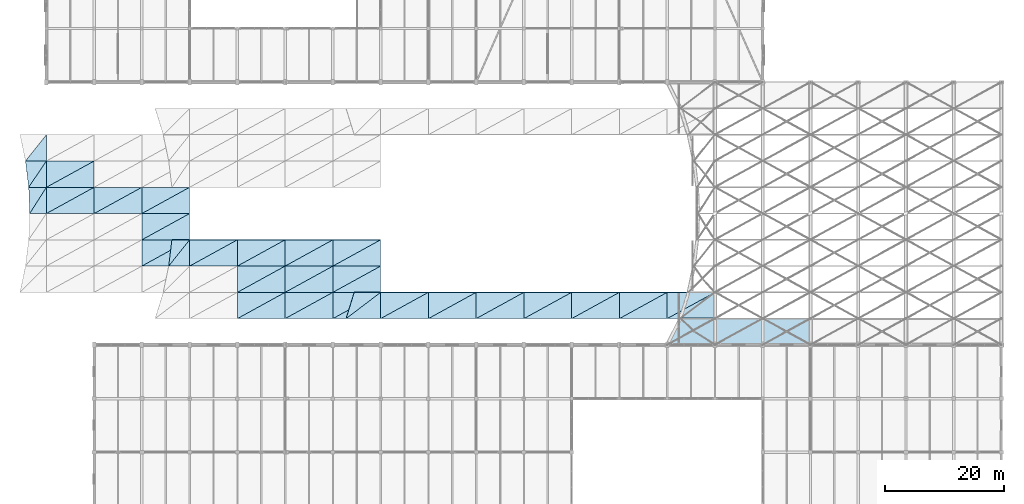
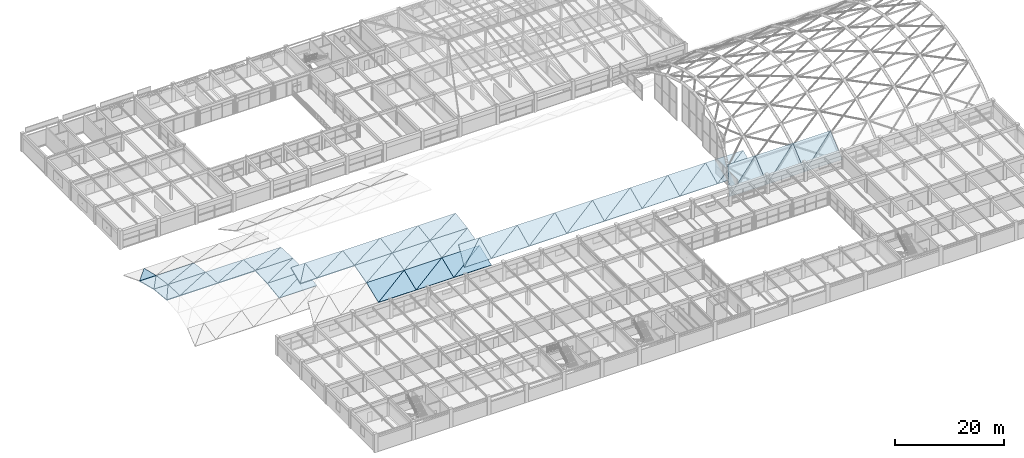
# One storey, part 105 of 126: 61 roofs.
"""IFC4 building model written with IfcOpenShell, lengths in metres."""

from ifc_helpers import new_model, si_unit, direction, frame, origin, place, context, subcontext, project, spatial, polyline, outline, extrude, material, layer, layer_set, type_object, element, save


model = new_model("IFC4")

# Units and contexts
model_context = context("Model", 3, precision=1e-05, world=origin(), true_north=direction((0.0, 1.0)))
body_context = subcontext(model_context, "Body", "Model", "MODEL_VIEW")
ifc_project = project(units=[si_unit("LENGTHUNIT", "METRE"), si_unit("AREAUNIT", "SQUARE_METRE"), si_unit("VOLUMEUNIT", "CUBIC_METRE"), si_unit("PLANEANGLEUNIT", "RADIAN"), si_unit("MASSUNIT", "GRAM", prefix="KILO")], contexts=[model_context])

# Site, building, storey
site_placement = place(None, origin())
site = spatial("IfcSite", under=ifc_project, at=site_placement, CompositionType="ELEMENT")
building_placement = place(site_placement, origin())
building = spatial("IfcBuilding", under=site, at=building_placement, Name="Varnabhumi Central Station", CompositionType="ELEMENT")
storey_placement = place(building_placement, frame((0.0, 0.0, 16.199951171875)))
storey = spatial("IfcBuildingStorey", under=building, at=storey_placement, Name="L03", CompositionType="ELEMENT", Elevation=16.199951171875)

# Roofs
ifc_material = material(Name="Champagne bronze diamond metal panel")
ifc_layer = layer(ifc_material, 0.159912109375, Name="Champagne bronze diamond metal panel")
ifc_layer_set = layer_set([ifc_layer], Name="Champagne bronze diamond metal panel")
roof_type = type_object("IfcRoofType", Name="ROOF-VAULT-BARREL", PredefinedType="BARREL_ROOF", material=ifc_layer_set)
roof_1_placement = place(storey_placement, frame((21.199951171875, 58.0, 2.7470703125), z_axis=(0.0, 0.046006057233, 0.998941160779), x_axis=(1.0, 0.0, 0.0)))
element("IfcRoof", 1, at=roof_1_placement, inside=storey, type_object=roof_type, Name="Entrance Portico Vault Diamond Shell Panel 1-6A", PredefinedType="BARREL_ROOF", context=body_context, shape_type="SweptSolid", body=[
    extrude(outline(polyline([(0.0, 0.0), (2.800048828125, 0.0), (2.800048828125, 4.404566071058818), (0.0, 0.0)])), origin(), (0.0, 0.0, -1.0), 0.159912109375),
])
roof_2_placement = place(storey_placement, frame((21.199951171875, 58.0, 2.7470703125), z_axis=(0.0, 0.046006057233, 0.998941160779), x_axis=(0.536485836633, 0.843015759683, -0.038824940658)))
element("IfcRoof", 2, at=roof_2_placement, inside=storey, type_object=roof_type, Name="Entrance Portico Vault Diamond Shell Panel 1-6B", PredefinedType="BARREL_ROOF", context=body_context, shape_type="SweptSolid", body=[
    extrude(outline(polyline([(0.0, 0.0), (5.219240913601009, 4.2934406030425976e-16), (3.6228812024464614, 2.511124716944645), (0.0, 0.0)])), origin(), (0.0, 0.0, -1.0), 0.159912109375),
])
roof_3_placement = place(storey_placement, frame((21.0244140625, 62.39990234375, 2.5458984375), z_axis=(0.0, 0.138420407303, 0.99037356126), x_axis=(1.0, 0.0, 0.0)))
element("IfcRoof", 3, at=roof_3_placement, inside=storey, type_object=roof_type, Name="Entrance Portico Vault Diamond Shell Panel 1-7A", PredefinedType="BARREL_ROOF", context=body_context, shape_type="SweptSolid", body=[
    extrude(outline(polyline([(0.0, 0.0), (2.9755859375, 0.0), (2.9755859375, 4.44291594252404), (0.0, 0.0)])), origin(), (0.0, 0.0, -1.0), 0.159912109375),
])
roof_4_placement = place(storey_placement, frame((21.0244140625, 62.39990234375, 2.5458984375), z_axis=(0.0, 0.138420407303, 0.99037356126), x_axis=(0.556465154754, 0.822872619309, -0.115009494981)))
element("IfcRoof", 4, at=roof_4_placement, inside=storey, type_object=roof_type, Name="Entrance Portico Vault Diamond Shell Panel 1-7B", PredefinedType="BARREL_ROOF", context=body_context, shape_type="SweptSolid", body=[
    extrude(outline(polyline([(0.0, 0.0), (5.347299668410407, -3.469446951953614e-17), (3.394916675496568, 2.9151480438899933), (0.0, 0.0)])), origin(), (0.0, 0.0, -1.0), 0.159912109375),
])
roof_5_placement = place(storey_placement, frame((20.491455078125, 66.800048828125, 1.933837890625), z_axis=(0.0, 0.2331035559, 0.972451917694), x_axis=(1.0, 0.0, 0.0)))
element("IfcRoof", 5, at=roof_5_placement, inside=storey, type_object=roof_type, Name="Entrance Portico Vault Diamond Shell Panel 1-8A", PredefinedType="BARREL_ROOF", context=body_context, shape_type="SweptSolid", body=[
    extrude(outline(polyline([(0.0, 0.0), (3.508544921875, 0.0), (3.508544921875, 4.52454487845938), (0.0, 0.0)])), origin(), (0.0, 0.0, -1.0), 0.159912109375),
])
roof_6_placement = place(storey_placement, frame((24.0, 58.0, 2.7470703125), z_axis=(0.0, 0.046006057233, 0.998941160779), x_axis=(1.0, 0.0, 0.0)))
element("IfcRoof", 6, at=roof_6_placement, inside=storey, type_object=roof_type, Name="Entrance Portico Vault Diamond Shell Panel 2-6A", PredefinedType="BARREL_ROOF", context=body_context, shape_type="SweptSolid", body=[
    extrude(outline(polyline([(0.0, 0.0), (8.0, 0.0), (8.0, 4.404566071058818), (0.0, 0.0)])), origin(), (0.0, 0.0, -1.0), 0.159912109375),
])
roof_7_placement = place(storey_placement, frame((24.0, 58.0, 2.7470703125), z_axis=(0.0, 0.046006057233, 0.998941160779), x_axis=(0.876004697448, 0.48179189018, -0.022188839688)))
element("IfcRoof", 7, at=roof_7_placement, inside=storey, type_object=roof_type, Name="Entrance Portico Vault Diamond Shell Panel 2-6B", PredefinedType="BARREL_ROOF", context=body_context, shape_type="SweptSolid", body=[
    extrude(outline(polyline([(0.0, 0.0), (9.132371120049957, 2.2551405187698492e-17), (2.124333540467898, 3.8584205684665376), (0.0, 0.0)])), origin(), (0.0, 0.0, -1.0), 0.159912109375),
])
roof_8_placement = place(storey_placement, frame((24.0, 62.39990234375, 2.5458984375), z_axis=(0.0, 0.138420407303, 0.99037356126), x_axis=(1.0, 0.0, 0.0)))
element("IfcRoof", 8, at=roof_8_placement, inside=storey, type_object=roof_type, Name="Entrance Portico Vault Diamond Shell Panel 2-7A", PredefinedType="BARREL_ROOF", context=body_context, shape_type="SweptSolid", body=[
    extrude(outline(polyline([(0.0, 0.0), (8.0, 0.0), (8.0, 4.442915942524041), (0.0, 0.0)])), origin(), (0.0, 0.0, -1.0), 0.159912109375),
])
roof_9_placement = place(storey_placement, frame((24.0, 62.39990234375, 2.5458984375), z_axis=(0.0, 0.138420407303, 0.99037356126), x_axis=(0.874228176797, 0.480841504835, -0.067205223918)))
element("IfcRoof", 9, at=roof_9_placement, inside=storey, type_object=roof_type, Name="Entrance Portico Vault Diamond Shell Panel 2-7B", PredefinedType="BARREL_ROOF", context=body_context, shape_type="SweptSolid", body=[
    extrude(outline(polyline([(0.0, 0.0), (9.15092902782741, -1.8041124150158794e-16), (2.157103613448174, 3.8841223040969144), (0.0, 0.0)])), origin(), (0.0, 0.0, -1.0), 0.159912109375),
])
roof_10_placement = place(storey_placement, frame((32.0, 58.0, 2.7470703125), z_axis=(0.0, 0.046006057233, 0.998941160779), x_axis=(1.0, 0.0, 0.0)))
element("IfcRoof", 10, at=roof_10_placement, inside=storey, type_object=roof_type, Name="Entrance Portico Vault Diamond Shell Panel 3-6A", PredefinedType="BARREL_ROOF", context=body_context, shape_type="SweptSolid", body=[
    extrude(outline(polyline([(0.0, 0.0), (8.0, 0.0), (8.0, 4.404566071058818), (0.0, 0.0)])), origin(), (0.0, 0.0, -1.0), 0.159912109375),
])
roof_11_placement = place(storey_placement, frame((32.0, 58.0, 2.7470703125), z_axis=(0.0, 0.046006057233, 0.998941160779), x_axis=(0.876004697448, 0.48179189018, -0.022188839688)))
element("IfcRoof", 11, at=roof_11_placement, inside=storey, type_object=roof_type, Name="Entrance Portico Vault Diamond Shell Panel 3-6B", PredefinedType="BARREL_ROOF", context=body_context, shape_type="SweptSolid", body=[
    extrude(outline(polyline([(0.0, 0.0), (9.132371120049957, 2.2551405187698492e-17), (2.124333540467898, 3.8584205684665376), (0.0, 0.0)])), origin(), (0.0, 0.0, -1.0), 0.159912109375),
])
roof_12_placement = place(storey_placement, frame((40.0, 49.199951171875, 1.930908203125), z_axis=(0.0, -0.138420407303, 0.99037356126), x_axis=(1.0, 0.0, 0.0)))
element("IfcRoof", 12, at=roof_12_placement, inside=storey, type_object=roof_type, Name="Entrance Portico Vault Diamond Shell Panel 4-4A", PredefinedType="BARREL_ROOF", context=body_context, shape_type="SweptSolid", body=[
    extrude(outline(polyline([(0.0, 0.0), (8.0, 0.0), (8.0, 4.442915942524041), (0.0, 0.0)])), origin(), (0.0, 0.0, -1.0), 0.159912109375),
])
roof_13_placement = place(storey_placement, frame((40.0, 49.199951171875, 1.930908203125), z_axis=(0.0, -0.138420407303, 0.99037356126), x_axis=(0.874228176797, 0.480841504835, 0.067205223918)))
element("IfcRoof", 13, at=roof_13_placement, inside=storey, type_object=roof_type, Name="Entrance Portico Vault Diamond Shell Panel 4-4B", PredefinedType="BARREL_ROOF", context=body_context, shape_type="SweptSolid", body=[
    extrude(outline(polyline([(0.0, 0.0), (9.15092902782741, -1.8041124150158794e-16), (2.157103613448174, 3.8841223040969144), (0.0, 0.0)])), origin(), (0.0, 0.0, -1.0), 0.159912109375),
])
roof_14_placement = place(storey_placement, frame((40.0, 53.60009765625, 2.54443359375), z_axis=(0.0, -0.046006057233, 0.998941160779), x_axis=(1.0, 0.0, 0.0)))
element("IfcRoof", 14, at=roof_14_placement, inside=storey, type_object=roof_type, Name="Entrance Portico Vault Diamond Shell Panel 4-5A", PredefinedType="BARREL_ROOF", context=body_context, shape_type="SweptSolid", body=[
    extrude(outline(polyline([(0.0, 0.0), (8.0, 0.0), (8.0, 4.404566071058818), (0.0, 0.0)])), origin(), (0.0, 0.0, -1.0), 0.159912109375),
])
roof_15_placement = place(storey_placement, frame((40.0, 53.60009765625, 2.54443359375), z_axis=(0.0, -0.046006057233, 0.998941160779), x_axis=(0.876004697448, 0.48179189018, 0.022188839688)))
element("IfcRoof", 15, at=roof_15_placement, inside=storey, type_object=roof_type, Name="Entrance Portico Vault Diamond Shell Panel 4-5B", PredefinedType="BARREL_ROOF", context=body_context, shape_type="SweptSolid", body=[
    extrude(outline(polyline([(0.0, 0.0), (9.132371120049957, 2.2551405187698492e-17), (2.124333540467898, 3.8584205684665376), (0.0, 0.0)])), origin(), (0.0, 0.0, -1.0), 0.159912109375),
])
roof_16_placement = place(storey_placement, frame((40.0, 58.0, 2.7470703125), z_axis=(0.0, 0.046006057233, 0.998941160779), x_axis=(1.0, 0.0, 0.0)))
element("IfcRoof", 16, at=roof_16_placement, inside=storey, type_object=roof_type, Name="Entrance Portico Vault Diamond Shell Panel 4-6A", PredefinedType="BARREL_ROOF", context=body_context, shape_type="SweptSolid", body=[
    extrude(outline(polyline([(0.0, 0.0), (8.0, 0.0), (8.0, 4.404566071058818), (0.0, 0.0)])), origin(), (0.0, 0.0, -1.0), 0.159912109375),
])
roof_17_placement = place(storey_placement, frame((40.0, 58.0, 2.7470703125), z_axis=(0.0, 0.046006057233, 0.998941160779), x_axis=(0.876004697448, 0.48179189018, -0.022188839688)))
element("IfcRoof", 17, at=roof_17_placement, inside=storey, type_object=roof_type, Name="Entrance Portico Vault Diamond Shell Panel 4-6B", PredefinedType="BARREL_ROOF", context=body_context, shape_type="SweptSolid", body=[
    extrude(outline(polyline([(0.0, 0.0), (9.132371120049957, 2.2551405187698492e-17), (2.124333540467898, 3.8584205684665376), (0.0, 0.0)])), origin(), (0.0, 0.0, -1.0), 0.159912109375),
])
roof_18_placement = place(storey_placement, frame((44.491455078125, 49.199951171875, 3.623046875), z_axis=(0.0, -0.156457839535, 0.987684638155), x_axis=(1.0, 0.0, 0.0)))
element("IfcRoof", 18, at=roof_18_placement, inside=storey, type_object=roof_type, Name="Ticket Hall Vault Diamond Shell Panel 1-4A", PredefinedType="BARREL_ROOF", context=body_context, shape_type="SweptSolid", body=[
    extrude(outline(polyline([(0.0, 0.0), (3.508544921875, 0.0), (3.508544921875, 4.455011563805194), (0.0, 0.0)])), origin(), (0.0, 0.0, -1.0), 0.159912109375),
])
roof_19_placement = place(storey_placement, frame((44.491455078125, 49.199951171875, 3.623046875), z_axis=(0.0, -0.156457839535, 0.987684638155), x_axis=(0.618712904093, 0.775942013115, 0.122915965569)))
element("IfcRoof", 19, at=roof_19_placement, inside=storey, type_object=roof_type, Name="Ticket Hall Vault Diamond Shell Panel 1-4B", PredefinedType="BARREL_ROOF", context=body_context, shape_type="SweptSolid", body=[
    extrude(outline(polyline([(0.0, 0.0), (5.670715607615397, 1.3877787807814457e-17), (3.829682190845547, 2.337671411850795), (0.0, 0.0)])), origin(), (0.0, 0.0, -1.0), 0.159912109375),
])
roof_20_placement = place(storey_placement, frame((48.0, 49.199951171875, 3.623046875), z_axis=(0.0, -0.156457839535, 0.987684638155), x_axis=(1.0, 0.0, 0.0)))
element("IfcRoof", 20, at=roof_20_placement, inside=storey, type_object=roof_type, Name="Ticket Hall Vault Diamond Shell Panel 2-4A", PredefinedType="BARREL_ROOF", context=body_context, shape_type="SweptSolid", body=[
    extrude(outline(polyline([(0.0, 0.0), (8.0, 0.0), (8.0, 4.455011563805194), (0.0, 0.0)])), origin(), (0.0, 0.0, -1.0), 0.159912109375),
])
roof_21_placement = place(storey_placement, frame((48.0, 49.199951171875, 3.623046875), z_axis=(0.0, -0.156457839535, 0.987684638155), x_axis=(0.873666918095, 0.480532802271, 0.076120576512)))
element("IfcRoof", 21, at=roof_21_placement, inside=storey, type_object=roof_type, Name="Ticket Hall Vault Diamond Shell Panel 2-4B", PredefinedType="BARREL_ROOF", context=body_context, shape_type="SweptSolid", body=[
    extrude(outline(polyline([(0.0, 0.0), (9.156807742528944, 2.498001805406602e-16), (2.1674723977721726, 3.8921962230254725), (0.0, 0.0)])), origin(), (0.0, 0.0, -1.0), 0.159912109375),
])
roof_22_placement = place(storey_placement, frame((56.0, 40.39990234375, 0.6552734375), z_axis=(0.0, -0.37554515505, 0.926804098242), x_axis=(1.0, 0.0, 0.0)))
element("IfcRoof", 22, at=roof_22_placement, inside=storey, type_object=roof_type, Name="Ticket Hall Vault Diamond Shell Panel 3-2A", PredefinedType="BARREL_ROOF", context=body_context, shape_type="SweptSolid", body=[
    extrude(outline(polyline([(0.0, 0.0), (8.0, 0.0), (8.0, 4.747655402819502), (0.0, 0.0)])), origin(), (0.0, 0.0, -1.0), 0.159912109375),
])
roof_23_placement = place(storey_placement, frame((56.0, 40.39990234375, 0.6552734375), z_axis=(0.0, -0.37554515505, 0.926804098242), x_axis=(0.859965363866, 0.472996696562, 0.19166037147)))
element("IfcRoof", 23, at=roof_23_placement, inside=storey, type_object=roof_type, Name="Ticket Hall Vault Diamond Shell Panel 3-2B", PredefinedType="BARREL_ROOF", context=body_context, shape_type="SweptSolid", body=[
    extrude(outline(polyline([(0.0, 0.0), (9.302700243688454, -3.3306690738754696e-16), (2.4229773327603397, 4.082819205996122), (0.0, 0.0)])), origin(), (0.0, 0.0, -1.0), 0.159912109375),
])
roof_24_placement = place(storey_placement, frame((56.0, 44.800048828125, 2.431396484375), z_axis=(0.0, -0.262165789998, 0.965022848722), x_axis=(1.0, 0.0, 0.0)))
element("IfcRoof", 24, at=roof_24_placement, inside=storey, type_object=roof_type, Name="Ticket Hall Vault Diamond Shell Panel 3-3A", PredefinedType="BARREL_ROOF", context=body_context, shape_type="SweptSolid", body=[
    extrude(outline(polyline([(0.0, 0.0), (8.0, 0.0), (8.0, 4.559376339719391), (0.0, 0.0)])), origin(), (0.0, 0.0, -1.0), 0.159912109375),
])
roof_25_placement = place(storey_placement, frame((56.0, 44.800048828125, 2.431396484375), z_axis=(0.0, -0.262165789998, 0.965022848722), x_axis=(0.86880640757, 0.477832918616, 0.129811894881)))
element("IfcRoof", 25, at=roof_25_placement, inside=storey, type_object=roof_type, Name="Ticket Hall Vault Diamond Shell Panel 3-3B", PredefinedType="BARREL_ROOF", context=body_context, shape_type="SweptSolid", body=[
    extrude(outline(polyline([(0.0, 0.0), (9.208035219697686, 4.996003610813204e-16), (2.2575839591407965, 3.961215378469487), (0.0, 0.0)])), origin(), (0.0, 0.0, -1.0), 0.159912109375),
])
roof_26_placement = place(storey_placement, frame((56.0, 49.199951171875, 3.623046875), z_axis=(0.0, -0.156457839535, 0.987684638155), x_axis=(1.0, 0.0, 0.0)))
element("IfcRoof", 26, at=roof_26_placement, inside=storey, type_object=roof_type, Name="Ticket Hall Vault Diamond Shell Panel 3-4A", PredefinedType="BARREL_ROOF", context=body_context, shape_type="SweptSolid", body=[
    extrude(outline(polyline([(0.0, 0.0), (8.0, 0.0), (8.0, 4.455011563805194), (0.0, 0.0)])), origin(), (0.0, 0.0, -1.0), 0.159912109375),
])
roof_27_placement = place(storey_placement, frame((56.0, 49.199951171875, 3.623046875), z_axis=(0.0, -0.156457839535, 0.987684638155), x_axis=(0.873666918095, 0.480532802271, 0.076120576512)))
element("IfcRoof", 27, at=roof_27_placement, inside=storey, type_object=roof_type, Name="Ticket Hall Vault Diamond Shell Panel 3-4B", PredefinedType="BARREL_ROOF", context=body_context, shape_type="SweptSolid", body=[
    extrude(outline(polyline([(0.0, 0.0), (9.156807742528944, 2.498001805406602e-16), (2.1674723977721726, 3.8921962230254725), (0.0, 0.0)])), origin(), (0.0, 0.0, -1.0), 0.159912109375),
])
roof_28_placement = place(storey_placement, frame((64.0, 40.39990234375, 0.6552734375), z_axis=(0.0, -0.37554515505, 0.926804098242), x_axis=(1.0, 0.0, 0.0)))
element("IfcRoof", 28, at=roof_28_placement, inside=storey, type_object=roof_type, Name="Ticket Hall Vault Diamond Shell Panel 4-2A", PredefinedType="BARREL_ROOF", context=body_context, shape_type="SweptSolid", body=[
    extrude(outline(polyline([(0.0, 0.0), (8.0, 0.0), (8.0, 4.747655402819502), (0.0, 0.0)])), origin(), (0.0, 0.0, -1.0), 0.159912109375),
])
roof_29_placement = place(storey_placement, frame((64.0, 40.39990234375, 0.6552734375), z_axis=(0.0, -0.37554515505, 0.926804098242), x_axis=(0.859965363866, 0.472996696562, 0.19166037147)))
element("IfcRoof", 29, at=roof_29_placement, inside=storey, type_object=roof_type, Name="Ticket Hall Vault Diamond Shell Panel 4-2B", PredefinedType="BARREL_ROOF", context=body_context, shape_type="SweptSolid", body=[
    extrude(outline(polyline([(0.0, 0.0), (9.302700243688454, -3.3306690738754696e-16), (2.4229773327603397, 4.082819205996122), (0.0, 0.0)])), origin(), (0.0, 0.0, -1.0), 0.159912109375),
])
roof_30_placement = place(storey_placement, frame((64.0, 44.800048828125, 2.431396484375), z_axis=(0.0, -0.262165789998, 0.965022848722), x_axis=(1.0, 0.0, 0.0)))
element("IfcRoof", 30, at=roof_30_placement, inside=storey, type_object=roof_type, Name="Ticket Hall Vault Diamond Shell Panel 4-3A", PredefinedType="BARREL_ROOF", context=body_context, shape_type="SweptSolid", body=[
    extrude(outline(polyline([(0.0, 0.0), (8.0, 0.0), (8.0, 4.559376339719391), (0.0, 0.0)])), origin(), (0.0, 0.0, -1.0), 0.159912109375),
])
roof_31_placement = place(storey_placement, frame((64.0, 44.800048828125, 2.431396484375), z_axis=(0.0, -0.262165789998, 0.965022848722), x_axis=(0.86880640757, 0.477832918616, 0.129811894881)))
element("IfcRoof", 31, at=roof_31_placement, inside=storey, type_object=roof_type, Name="Ticket Hall Vault Diamond Shell Panel 4-3B", PredefinedType="BARREL_ROOF", context=body_context, shape_type="SweptSolid", body=[
    extrude(outline(polyline([(0.0, 0.0), (9.208035219697686, 4.996003610813204e-16), (2.2575839591407965, 3.961215378469487), (0.0, 0.0)])), origin(), (0.0, 0.0, -1.0), 0.159912109375),
])
roof_32_placement = place(storey_placement, frame((64.0, 49.199951171875, 3.623046875), z_axis=(0.0, -0.156457839535, 0.987684638155), x_axis=(1.0, 0.0, 0.0)))
element("IfcRoof", 32, at=roof_32_placement, inside=storey, type_object=roof_type, Name="Ticket Hall Vault Diamond Shell Panel 4-4A", PredefinedType="BARREL_ROOF", context=body_context, shape_type="SweptSolid", body=[
    extrude(outline(polyline([(0.0, 0.0), (8.0, 0.0), (8.0, 4.455011563805194), (0.0, 0.0)])), origin(), (0.0, 0.0, -1.0), 0.159912109375),
])
roof_33_placement = place(storey_placement, frame((64.0, 49.199951171875, 3.623046875), z_axis=(0.0, -0.156457839535, 0.987684638155), x_axis=(0.873666918095, 0.480532802271, 0.076120576512)))
element("IfcRoof", 33, at=roof_33_placement, inside=storey, type_object=roof_type, Name="Ticket Hall Vault Diamond Shell Panel 4-4B", PredefinedType="BARREL_ROOF", context=body_context, shape_type="SweptSolid", body=[
    extrude(outline(polyline([(0.0, 0.0), (9.156807742528944, 2.498001805406602e-16), (2.1674723977721726, 3.8921962230254725), (0.0, 0.0)])), origin(), (0.0, 0.0, -1.0), 0.159912109375),
])
roof_34_placement = place(storey_placement, frame((72.0, 40.39990234375, 0.6552734375), z_axis=(0.0, -0.37554515505, 0.926804098242), x_axis=(1.0, 0.0, 0.0)))
element("IfcRoof", 34, at=roof_34_placement, inside=storey, type_object=roof_type, Name="Ticket Hall Vault Diamond Shell Panel 5-2A", PredefinedType="BARREL_ROOF", context=body_context, shape_type="SweptSolid", body=[
    extrude(outline(polyline([(0.0, 0.0), (8.0, 0.0), (8.0, 4.747655402819502), (0.0, 0.0)])), origin(), (0.0, 0.0, -1.0), 0.159912109375),
])
roof_35_placement = place(storey_placement, frame((72.0, 40.39990234375, 0.6552734375), z_axis=(0.0, -0.37554515505, 0.926804098242), x_axis=(0.859965363866, 0.472996696562, 0.19166037147)))
element("IfcRoof", 35, at=roof_35_placement, inside=storey, type_object=roof_type, Name="Ticket Hall Vault Diamond Shell Panel 5-2B", PredefinedType="BARREL_ROOF", context=body_context, shape_type="SweptSolid", body=[
    extrude(outline(polyline([(0.0, 0.0), (9.302700243688454, -3.3306690738754696e-16), (2.4229773327603397, 4.082819205996122), (0.0, 0.0)])), origin(), (0.0, 0.0, -1.0), 0.159912109375),
])
roof_36_placement = place(storey_placement, frame((72.0, 44.800048828125, 2.431396484375), z_axis=(0.0, -0.262165789998, 0.965022848722), x_axis=(1.0, 0.0, 0.0)))
element("IfcRoof", 36, at=roof_36_placement, inside=storey, type_object=roof_type, Name="Ticket Hall Vault Diamond Shell Panel 5-3A", PredefinedType="BARREL_ROOF", context=body_context, shape_type="SweptSolid", body=[
    extrude(outline(polyline([(0.0, 0.0), (8.0, 0.0), (8.0, 4.559376339719391), (0.0, 0.0)])), origin(), (0.0, 0.0, -1.0), 0.159912109375),
])
roof_37_placement = place(storey_placement, frame((72.0, 44.800048828125, 2.431396484375), z_axis=(0.0, -0.262165789998, 0.965022848722), x_axis=(0.86880640757, 0.477832918616, 0.129811894881)))
element("IfcRoof", 37, at=roof_37_placement, inside=storey, type_object=roof_type, Name="Ticket Hall Vault Diamond Shell Panel 5-3B", PredefinedType="BARREL_ROOF", context=body_context, shape_type="SweptSolid", body=[
    extrude(outline(polyline([(0.0, 0.0), (9.208035219697686, 4.996003610813204e-16), (2.2575839591407965, 3.961215378469487), (0.0, 0.0)])), origin(), (0.0, 0.0, -1.0), 0.159912109375),
])
roof_38_placement = place(storey_placement, frame((72.0, 49.199951171875, 3.623046875), z_axis=(0.0, -0.156457839535, 0.987684638155), x_axis=(1.0, 0.0, 0.0)))
element("IfcRoof", 38, at=roof_38_placement, inside=storey, type_object=roof_type, Name="Ticket Hall Vault Diamond Shell Panel 5-4A", PredefinedType="BARREL_ROOF", context=body_context, shape_type="SweptSolid", body=[
    extrude(outline(polyline([(0.0, 0.0), (8.0, 0.0), (8.0, 4.455011563805194), (0.0, 0.0)])), origin(), (0.0, 0.0, -1.0), 0.159912109375),
])
roof_39_placement = place(storey_placement, frame((72.0, 49.199951171875, 3.623046875), z_axis=(0.0, -0.156457839535, 0.987684638155), x_axis=(0.873666918095, 0.480532802271, 0.076120576512)))
element("IfcRoof", 39, at=roof_39_placement, inside=storey, type_object=roof_type, Name="Ticket Hall Vault Diamond Shell Panel 5-4B", PredefinedType="BARREL_ROOF", context=body_context, shape_type="SweptSolid", body=[
    extrude(outline(polyline([(0.0, 0.0), (9.156807742528944, 2.498001805406602e-16), (2.1674723977721726, 3.8921962230254725), (0.0, 0.0)])), origin(), (0.0, 0.0, -1.0), 0.159912109375),
])
roof_40_placement = place(storey_placement, frame((74.2138671875, 40.39990234375, 2.1103515625), z_axis=(0.0, -0.421449816984, 0.906851725347), x_axis=(1.0, 0.0, 0.0)))
element("IfcRoof", 40, at=roof_40_placement, inside=storey, type_object=roof_type, Name="Departure Concourse Vault Diamond Shell Panel 1-2A", PredefinedType="BARREL_ROOF", context=body_context, shape_type="SweptSolid", body=[
    extrude(outline(polyline([(0.0, 0.0), (5.7861328125, 0.0), (5.7861328125, 4.852112381098689), (0.0, 0.0)])), origin(), (0.0, 0.0, -1.0), 0.159912109375),
])
roof_41_placement = place(storey_placement, frame((74.2138671875, 40.39990234375, 2.1103515625), z_axis=(0.0, -0.421449816984, 0.906851725347), x_axis=(0.766241955533, 0.582699525931, 0.270803486057)))
element("IfcRoof", 41, at=roof_41_placement, inside=storey, type_object=roof_type, Name="Departure Concourse Vault Diamond Shell Panel 1-2B", PredefinedType="BARREL_ROOF", context=body_context, shape_type="SweptSolid", body=[
    extrude(outline(polyline([(0.0, 0.0), (7.551312964160627, 1.1102230246251565e-16), (4.162525604668446, 2.8417559079150063), (0.0, 0.0)])), origin(), (0.0, 0.0, -1.0), 0.159912109375),
])
roof_42_placement = place(storey_placement, frame((80.0, 40.39990234375, 2.1103515625), z_axis=(0.0, -0.421449816984, 0.906851725347), x_axis=(1.0, 0.0, 0.0)))
element("IfcRoof", 42, at=roof_42_placement, inside=storey, type_object=roof_type, Name="Departure Concourse Vault Diamond Shell Panel 2-2A", PredefinedType="BARREL_ROOF", context=body_context, shape_type="SweptSolid", body=[
    extrude(outline(polyline([(0.0, 0.0), (8.0, 0.0), (8.0, 4.852112381098689), (0.0, 0.0)])), origin(), (0.0, 0.0, -1.0), 0.159912109375),
])
roof_43_placement = place(storey_placement, frame((80.0, 40.39990234375, 2.1103515625), z_axis=(0.0, -0.421449816984, 0.906851725347), x_axis=(0.855025934416, 0.470279919921, 0.218557654623)))
element("IfcRoof", 43, at=roof_43_placement, inside=storey, type_object=roof_type, Name="Departure Concourse Vault Diamond Shell Panel 2-2B", PredefinedType="BARREL_ROOF", context=body_context, shape_type="SweptSolid", body=[
    extrude(outline(polyline([(0.0, 0.0), (9.35644134053173, -1.1102230246251565e-16), (2.516233865200851, 4.148681922542095), (0.0, 0.0)])), origin(), (0.0, 0.0, -1.0), 0.159912109375),
])
roof_44_placement = place(storey_placement, frame((88.0, 40.39990234375, 2.1103515625), z_axis=(0.0, -0.421449816984, 0.906851725347), x_axis=(1.0, 0.0, 0.0)))
element("IfcRoof", 44, at=roof_44_placement, inside=storey, type_object=roof_type, Name="Departure Concourse Vault Diamond Shell Panel 3-2A", PredefinedType="BARREL_ROOF", context=body_context, shape_type="SweptSolid", body=[
    extrude(outline(polyline([(0.0, 0.0), (8.0, 0.0), (8.0, 4.852112381098689), (0.0, 0.0)])), origin(), (0.0, 0.0, -1.0), 0.159912109375),
])
roof_45_placement = place(storey_placement, frame((88.0, 40.39990234375, 2.1103515625), z_axis=(0.0, -0.421449816984, 0.906851725347), x_axis=(0.855025934416, 0.470279919921, 0.218557654623)))
element("IfcRoof", 45, at=roof_45_placement, inside=storey, type_object=roof_type, Name="Departure Concourse Vault Diamond Shell Panel 3-2B", PredefinedType="BARREL_ROOF", context=body_context, shape_type="SweptSolid", body=[
    extrude(outline(polyline([(0.0, 0.0), (9.35644134053173, -1.1102230246251565e-16), (2.516233865200851, 4.148681922542095), (0.0, 0.0)])), origin(), (0.0, 0.0, -1.0), 0.159912109375),
])
roof_46_placement = place(storey_placement, frame((96.0, 40.39990234375, 2.1103515625), z_axis=(0.0, -0.421449816984, 0.906851725347), x_axis=(1.0, 0.0, 0.0)))
element("IfcRoof", 46, at=roof_46_placement, inside=storey, type_object=roof_type, Name="Departure Concourse Vault Diamond Shell Panel 4-2A", PredefinedType="BARREL_ROOF", context=body_context, shape_type="SweptSolid", body=[
    extrude(outline(polyline([(0.0, 0.0), (8.0, 0.0), (8.0, 4.852112381098689), (0.0, 0.0)])), origin(), (0.0, 0.0, -1.0), 0.159912109375),
])
roof_47_placement = place(storey_placement, frame((96.0, 40.39990234375, 2.1103515625), z_axis=(0.0, -0.421449816984, 0.906851725347), x_axis=(0.855025934416, 0.470279919921, 0.218557654623)))
element("IfcRoof", 47, at=roof_47_placement, inside=storey, type_object=roof_type, Name="Departure Concourse Vault Diamond Shell Panel 4-2B", PredefinedType="BARREL_ROOF", context=body_context, shape_type="SweptSolid", body=[
    extrude(outline(polyline([(0.0, 0.0), (9.35644134053173, -1.1102230246251565e-16), (2.516233865200851, 4.148681922542095), (0.0, 0.0)])), origin(), (0.0, 0.0, -1.0), 0.159912109375),
])
roof_48_placement = place(storey_placement, frame((104.0, 40.39990234375, 2.1103515625), z_axis=(0.0, -0.421449816984, 0.906851725347), x_axis=(1.0, 0.0, 0.0)))
element("IfcRoof", 48, at=roof_48_placement, inside=storey, type_object=roof_type, Name="Departure Concourse Vault Diamond Shell Panel 5-2A", PredefinedType="BARREL_ROOF", context=body_context, shape_type="SweptSolid", body=[
    extrude(outline(polyline([(0.0, 0.0), (8.0, 0.0), (8.0, 4.852112381098689), (0.0, 0.0)])), origin(), (0.0, 0.0, -1.0), 0.159912109375),
])
roof_49_placement = place(storey_placement, frame((104.0, 40.39990234375, 2.1103515625), z_axis=(0.0, -0.421449816984, 0.906851725347), x_axis=(0.855025934416, 0.470279919921, 0.218557654623)))
element("IfcRoof", 49, at=roof_49_placement, inside=storey, type_object=roof_type, Name="Departure Concourse Vault Diamond Shell Panel 5-2B", PredefinedType="BARREL_ROOF", context=body_context, shape_type="SweptSolid", body=[
    extrude(outline(polyline([(0.0, 0.0), (9.35644134053173, -1.1102230246251565e-16), (2.516233865200851, 4.148681922542095), (0.0, 0.0)])), origin(), (0.0, 0.0, -1.0), 0.159912109375),
])
roof_50_placement = place(storey_placement, frame((112.0, 40.39990234375, 2.1103515625), z_axis=(0.0, -0.421449816984, 0.906851725347), x_axis=(1.0, 0.0, 0.0)))
element("IfcRoof", 50, at=roof_50_placement, inside=storey, type_object=roof_type, Name="Departure Concourse Vault Diamond Shell Panel 6-2A", PredefinedType="BARREL_ROOF", context=body_context, shape_type="SweptSolid", body=[
    extrude(outline(polyline([(0.0, 0.0), (8.0, 0.0), (8.0, 4.852112381098689), (0.0, 0.0)])), origin(), (0.0, 0.0, -1.0), 0.159912109375),
])
roof_51_placement = place(storey_placement, frame((112.0, 40.39990234375, 2.1103515625), z_axis=(0.0, -0.421449816984, 0.906851725347), x_axis=(0.855025934416, 0.470279919921, 0.218557654623)))
element("IfcRoof", 51, at=roof_51_placement, inside=storey, type_object=roof_type, Name="Departure Concourse Vault Diamond Shell Panel 6-2B", PredefinedType="BARREL_ROOF", context=body_context, shape_type="SweptSolid", body=[
    extrude(outline(polyline([(0.0, 0.0), (9.35644134053173, -1.1102230246251565e-16), (2.516233865200851, 4.148681922542095), (0.0, 0.0)])), origin(), (0.0, 0.0, -1.0), 0.159912109375),
])
roof_52_placement = place(storey_placement, frame((120.0, 40.39990234375, 2.1103515625), z_axis=(0.0, -0.421449816984, 0.906851725347), x_axis=(1.0, 0.0, 0.0)))
element("IfcRoof", 52, at=roof_52_placement, inside=storey, type_object=roof_type, Name="Departure Concourse Vault Diamond Shell Panel 7-2A", PredefinedType="BARREL_ROOF", context=body_context, shape_type="SweptSolid", body=[
    extrude(outline(polyline([(0.0, 0.0), (8.0, 0.0), (8.0, 4.852112381098689), (0.0, 0.0)])), origin(), (0.0, 0.0, -1.0), 0.159912109375),
])
roof_53_placement = place(storey_placement, frame((120.0, 40.39990234375, 2.1103515625), z_axis=(0.0, -0.421449816984, 0.906851725347), x_axis=(0.855025934416, 0.470279919921, 0.218557654623)))
element("IfcRoof", 53, at=roof_53_placement, inside=storey, type_object=roof_type, Name="Departure Concourse Vault Diamond Shell Panel 7-2B", PredefinedType="BARREL_ROOF", context=body_context, shape_type="SweptSolid", body=[
    extrude(outline(polyline([(0.0, 0.0), (9.35644134053173, -1.1102230246251565e-16), (2.516233865200851, 4.148681922542095), (0.0, 0.0)])), origin(), (0.0, 0.0, -1.0), 0.159912109375),
])
roof_54_placement = place(storey_placement, frame((128.0, 40.39990234375, 2.1103515625), z_axis=(0.0, -0.421449816984, 0.906851725347), x_axis=(1.0, 0.0, 0.0)))
element("IfcRoof", 54, at=roof_54_placement, inside=storey, type_object=roof_type, Name="Departure Concourse Vault Diamond Shell Panel 8-2A", PredefinedType="BARREL_ROOF", context=body_context, shape_type="SweptSolid", body=[
    extrude(outline(polyline([(0.0, 0.0), (8.0, 0.0), (8.0, 4.852112381098689), (0.0, 0.0)])), origin(), (0.0, 0.0, -1.0), 0.159912109375),
])
roof_55_placement = place(storey_placement, frame((128.0, 40.39990234375, 2.1103515625), z_axis=(0.0, -0.421449816984, 0.906851725347), x_axis=(0.855025934416, 0.470279919921, 0.218557654623)))
element("IfcRoof", 55, at=roof_55_placement, inside=storey, type_object=roof_type, Name="Departure Concourse Vault Diamond Shell Panel 8-2B", PredefinedType="BARREL_ROOF", context=body_context, shape_type="SweptSolid", body=[
    extrude(outline(polyline([(0.0, 0.0), (9.35644134053173, -1.1102230246251565e-16), (2.516233865200851, 4.148681922542095), (0.0, 0.0)])), origin(), (0.0, 0.0, -1.0), 0.159912109375),
])
roof_56_placement = place(storey_placement, frame((128.0, 36.0, 1.874267578125), z_axis=(0.0, -0.648317740244, 0.761369888875), x_axis=(1.0, 0.0, 0.0)))
element("IfcRoof", 56, at=roof_56_placement, inside=storey, type_object=roof_type, Name="Platform Train-Shed Vault Diamond Shell Panel 1-1A", PredefinedType="BARREL_ROOF", context=body_context, shape_type="SweptSolid", body=[
    extrude(outline(polyline([(0.0, 0.0), (8.0, 0.0), (8.0, 5.778928754658784), (0.0, 0.0)])), origin(), (0.0, 0.0, -1.0), 0.159912109375),
])
roof_57_placement = place(storey_placement, frame((128.0, 36.0, 1.874267578125), z_axis=(0.0, -0.648317740244, 0.761369888875), x_axis=(0.810623868746, 0.4458332325, 0.379633602593)))
element("IfcRoof", 57, at=roof_57_placement, inside=storey, type_object=roof_type, Name="Platform Train-Shed Vault Diamond Shell Panel 1-1B", PredefinedType="BARREL_ROOF", context=body_context, shape_type="SweptSolid", body=[
    extrude(outline(polyline([(0.0, 0.0), (9.868942068500662, 0.0), (5.178564702952658, 3.3881695784957593), (0.0, 0.0)])), origin(), (0.0, 0.0, -1.0), 0.159912109375),
])
roof_58_placement = place(storey_placement, frame((136.0, 36.0, 1.874267578125), z_axis=(0.0, -0.648317740244, 0.761369888875), x_axis=(1.0, 0.0, 0.0)))
element("IfcRoof", 58, at=roof_58_placement, inside=storey, type_object=roof_type, Name="Platform Train-Shed Vault Diamond Shell Panel 2-1A", PredefinedType="BARREL_ROOF", context=body_context, shape_type="SweptSolid", body=[
    extrude(outline(polyline([(0.0, 0.0), (8.0, 0.0), (8.0, 5.778928754658784), (0.0, 0.0)])), origin(), (0.0, 0.0, -1.0), 0.159912109375),
])
roof_59_placement = place(storey_placement, frame((136.0, 36.0, 1.874267578125), z_axis=(0.0, -0.648317740244, 0.761369888875), x_axis=(0.810623868746, 0.4458332325, 0.379633602593)))
element("IfcRoof", 59, at=roof_59_placement, inside=storey, type_object=roof_type, Name="Platform Train-Shed Vault Diamond Shell Panel 2-1B", PredefinedType="BARREL_ROOF", context=body_context, shape_type="SweptSolid", body=[
    extrude(outline(polyline([(0.0, 0.0), (9.868942068500662, 0.0), (3.3839511185311686, 4.684537584310085), (0.0, 0.0)])), origin(), (0.0, 0.0, -1.0), 0.159912109375),
])
roof_60_placement = place(storey_placement, frame((144.0, 36.0, 1.874267578125), z_axis=(0.0, -0.648317740244, 0.761369888875), x_axis=(1.0, 0.0, 0.0)))
element("IfcRoof", 60, at=roof_60_placement, inside=storey, type_object=roof_type, Name="Platform Train-Shed Vault Diamond Shell Panel 3-1A", PredefinedType="BARREL_ROOF", context=body_context, shape_type="SweptSolid", body=[
    extrude(outline(polyline([(0.0, 0.0), (8.0, 0.0), (8.0, 5.778928754658784), (0.0, 0.0)])), origin(), (0.0, 0.0, -1.0), 0.159912109375),
])
roof_61_placement = place(storey_placement, frame((144.0, 36.0, 1.874267578125), z_axis=(0.0, -0.648317740244, 0.761369888875), x_axis=(0.810623868746, 0.4458332325, 0.379633602593)))
element("IfcRoof", 61, at=roof_61_placement, inside=storey, type_object=roof_type, Name="Platform Train-Shed Vault Diamond Shell Panel 3-1B", PredefinedType="BARREL_ROOF", context=body_context, shape_type="SweptSolid", body=[
    extrude(outline(polyline([(0.0, 0.0), (9.868942068500662, 0.0), (3.3839511185311686, 4.684537584310085), (0.0, 0.0)])), origin(), (0.0, 0.0, -1.0), 0.159912109375),
])

save(model, "model.ifc")
